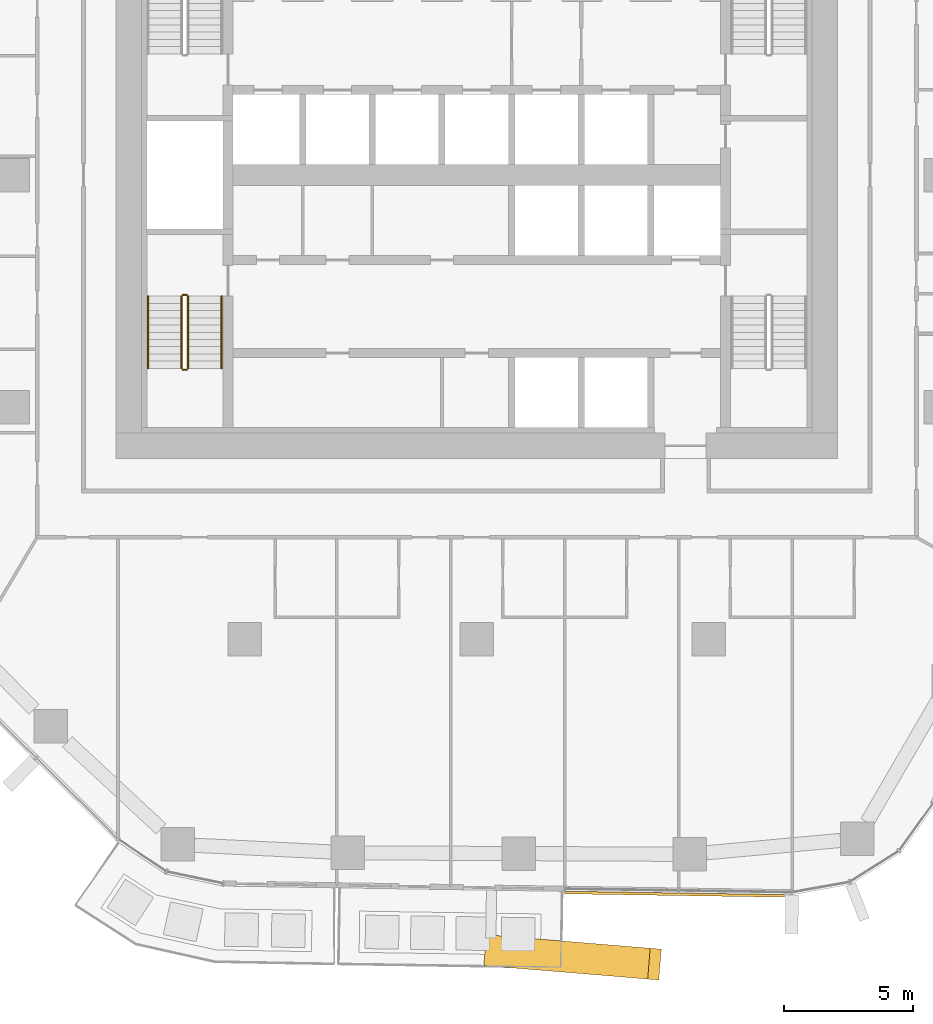
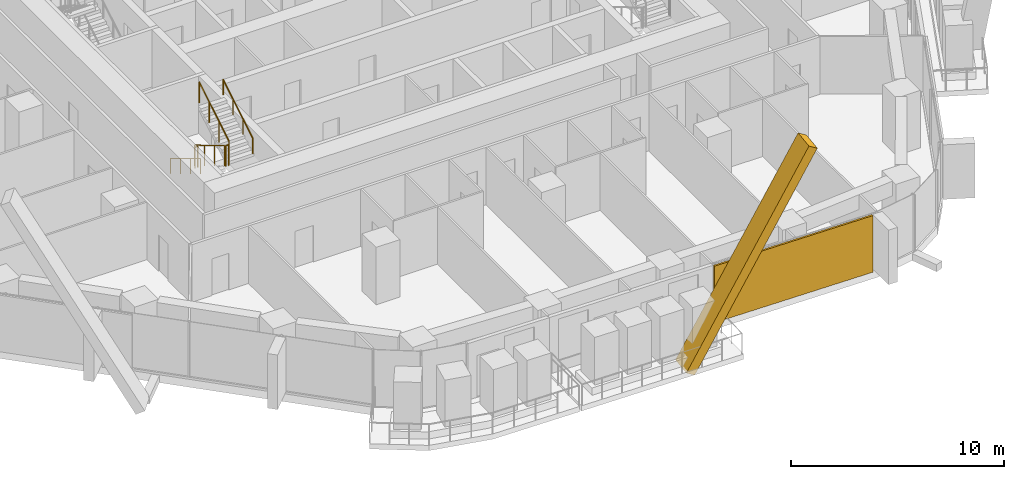
# One storey, part 20 of 25: 6 railings, 2 coverings, 1 element without a shape of its own.
"""IFC4 building model written with IfcOpenShell, lengths in metres."""

from ifc_helpers import new_model, si_unit, direction, frame, origin, origin_2d, place, context, subcontext, project, spatial, rectangle, circle, extrude, material, layer, layer_set, material_profile, profile_set, type_object, element, aggregate, save


model = new_model("IFC4")

# Units and contexts
model_context = context("Model", 3, precision=1e-05, world=origin(), true_north=direction((0.0, 1.0)))
body_context = subcontext(model_context, "Body", "Model", "MODEL_VIEW")
ifc_project = project(units=[si_unit("LENGTHUNIT", "METRE"), si_unit("AREAUNIT", "SQUARE_METRE"), si_unit("VOLUMEUNIT", "CUBIC_METRE"), si_unit("PLANEANGLEUNIT", "RADIAN"), si_unit("MASSUNIT", "GRAM", prefix="KILO")], contexts=[model_context])

# Site, building, storey
site_placement = place(None, origin())
site = spatial("IfcSite", under=ifc_project, at=site_placement, CompositionType="ELEMENT")
building_placement = place(site_placement, origin())
building = spatial("IfcBuilding", under=site, at=building_placement, Name="Dongbaek Canopy Tower", CompositionType="ELEMENT")
storey_placement = place(building_placement, frame((0.0, 0.0, 102.60009765625)))
storey = spatial("IfcBuildingStorey", under=building, at=storey_placement, Name="L21", CompositionType="ELEMENT", Elevation=102.60009765625)

# Curtain wall, coverings
ifc_material_1 = material(Name="Aluminium 6063-T6 pale anodised", Category="aluminium")
ifc_layer_1 = layer(ifc_material_1, 0.199951171875)
ifc_layer_set_1 = layer_set([ifc_layer_1], Name="CW-1 unitised tower curtain wall")
curtain_wall_type = type_object("IfcCurtainWallType", Name="CW-1 unitised tower curtain wall", PredefinedType="NOTDEFINED", material=ifc_layer_set_1)
curtain_wall_placement = place(storey_placement, origin())
curtain_wall = element("IfcCurtainWall", 1, at=curtain_wall_placement, inside=storey, type_object=curtain_wall_type, Name="CW-1 curtain wall F4.1", PredefinedType="NOTDEFINED")
ifc_material_2 = material(Name="Aluminium 6063-T6 pale metal fin", Category="aluminium")
ifc_material_profile = material_profile(ifc_material_2, rectangle(XDim=1.199951171875, YDim=0.5, at=origin_2d()), Name="Crease fin CF1 500 x 1200 pale metal")
ifc_profile_set = profile_set([ifc_material_profile], Name="Aluminium 6063-T6 pale metal fin")
covering_type_1 = type_object("IfcCoveringType", Name="Crease fin CF1 500 x 1200 pale metal", PredefinedType="CLADDING", material=ifc_profile_set)
covering_1_placement = place(storey_placement, frame((0.53759765625, -30.08251953125, -0.22509765625), z_axis=(0.495653018253, -0.040952202591, 0.86755461073), x_axis=(0.082342147223, 0.996604119393, 0.0)))
covering_1 = element("IfcCovering", 2, at=covering_1_placement, type_object=covering_type_1, Name="Crease fin L21 L24 F4", PredefinedType="CLADDING", context=body_context, shape_type="SweptSolid", body=[
    extrude(rectangle(XDim=1.199951171875, YDim=0.5, at=origin_2d()), origin(), (0.0, 0.0, 1.0), 12.823486328125),
])
ifc_material_3 = material(Name="Perforated aluminium 6063-T6 pale metal screen", Category="aluminium")
ifc_layer_2 = layer(ifc_material_3, 0.10009765625)
ifc_layer_set_2 = layer_set([ifc_layer_2], Name="Facet screen FS1 100 pale metal")
covering_type_2 = type_object("IfcCoveringType", Name="Facet screen FS1 100 pale metal", PredefinedType="CLADDING", material=ifc_layer_set_2)
covering_2_placement = place(storey_placement, frame((7.6748046875, -27.896728515625, 0.0), z_axis=(0.0, 0.0, 1.0), x_axis=(0.999881222026, -0.015412392378, 0.0)))
covering_2 = element("IfcCovering", 3, at=covering_2_placement, type_object=covering_type_2, Name="Facet screen L21 F4", PredefinedType="CLADDING", context=body_context, shape_type="SweptSolid", body=[
    extrude(rectangle(XDim=8.534912109375, YDim=0.10009765625, at=origin_2d()), origin(), (0.0, 0.0, 1.0), 3.25),
])
aggregate(curtain_wall, [covering_1, covering_2])

# Railings
ifc_material_4 = material(Name="Stainless steel tube and balusters", Category="steel")
railing_type_1 = type_object("IfcRailingType", Name="Stair guard 1200", PredefinedType="GUARDRAIL", material=ifc_material_4)
railing_1_placement = place(storey_placement, frame((-11.449951171875, -4.699951171875, 0.16796875)))
element("IfcRailing", 4, at=railing_1_placement, inside=storey, type_object=railing_type_1, Name="L21 ST-D stair guard 1", PredefinedType="GUARDRAIL", context=body_context, shape_type="SweptSolid", body=[
    extrude(circle(Radius=0.02392578125, at=origin_2d()), frame((0.0, 0.0, 1.17578125), z_axis=(0.0, -0.857242210791, 0.514913383045), x_axis=(1.0, 0.0, 0.0)), (0.0, 0.0, 1.0), 3.266357421875),
    extrude(circle(Radius=0.02099609375, at=origin_2d()), origin(), (0.0, 0.0, 1.0), 1.15185546875),
    extrude(circle(Radius=0.02099609375, at=origin_2d()), frame((0.0, -0.933349609375, 0.560546875)), (0.0, 0.0, 1.0), 1.15185546875),
    extrude(circle(Radius=0.02099609375, at=origin_2d()), frame((0.0, -1.86669921875, 1.121337890625)), (0.0, 0.0, 1.0), 1.15185546875),
    extrude(circle(Radius=0.02099609375, at=origin_2d()), frame((0.0, -2.800048828125, 1.681884765625)), (0.0, 0.0, 1.0), 1.15185546875),
])
railing_2_placement = place(storey_placement, frame((-11.39990234375, -7.550048828125, 1.849853515625)))
element("IfcRailing", 5, at=railing_2_placement, inside=storey, type_object=railing_type_1, Name="L21 ST-D stair guard 2", PredefinedType="GUARDRAIL", context=body_context, shape_type="SweptSolid", body=[
    extrude(circle(Radius=0.02392578125, at=origin_2d()), frame((0.0, 0.0, 1.17578125), z_axis=(1.0, 0.0, 0.0), x_axis=(0.0, 1.0, 0.0)), (0.0, 0.0, 1.0), 0.14990234375),
    extrude(circle(Radius=0.02099609375, at=origin_2d()), origin(), (0.0, 0.0, 1.0), 1.15185546875),
    extrude(circle(Radius=0.02099609375, at=origin_2d()), frame((0.14990234375, 0.0, 0.0)), (0.0, 0.0, 1.0), 1.15185546875),
])
railing_3_placement = place(storey_placement, frame((-11.199951171875, -7.5, 2.01806640625)))
element("IfcRailing", 6, at=railing_3_placement, inside=storey, type_object=railing_type_1, Name="L21 ST-D stair guard 3", PredefinedType="GUARDRAIL", context=body_context, shape_type="SweptSolid", body=[
    extrude(circle(Radius=0.02392578125, at=origin_2d()), frame((0.0, 0.0, 1.17578125), z_axis=(0.0, 0.857242210791, 0.514913383045), x_axis=(-1.0, 0.0, 0.0)), (0.0, 0.0, 1.0), 3.266357421875),
    extrude(circle(Radius=0.02099609375, at=origin_2d()), origin(), (0.0, 0.0, 1.0), 1.15185546875),
    extrude(circle(Radius=0.02099609375, at=origin_2d()), frame((0.0, 0.933349609375, 0.560546875)), (0.0, 0.0, 1.0), 1.15185546875),
    extrude(circle(Radius=0.02099609375, at=origin_2d()), frame((0.0, 1.86669921875, 1.121337890625)), (0.0, 0.0, 1.0), 1.15185546875),
    extrude(circle(Radius=0.02099609375, at=origin_2d()), frame((0.0, 2.800048828125, 1.681884765625)), (0.0, 0.0, 1.0), 1.15185546875),
])
railing_4_placement = place(storey_placement, frame((-11.39990234375, -4.64990234375, 0.0)))
element("IfcRailing", 7, at=railing_4_placement, inside=storey, type_object=railing_type_1, Name="L21 ST-D stair guard 4", PredefinedType="GUARDRAIL", context=body_context, shape_type="SweptSolid", body=[
    extrude(circle(Radius=0.02392578125, at=origin_2d()), frame((0.0, 0.0, 1.17578125), z_axis=(1.0, 0.0, 0.0), x_axis=(0.0, 1.0, 0.0)), (0.0, 0.0, 1.0), 0.14990234375),
    extrude(circle(Radius=0.02099609375, at=origin_2d()), origin(), (0.0, 0.0, 1.0), 1.15185546875),
    extrude(circle(Radius=0.02099609375, at=origin_2d()), frame((0.14990234375, 0.0, 0.0)), (0.0, 0.0, 1.0), 1.15185546875),
])
ifc_material_5 = material(Name="Stainless steel tube", Category="steel")
railing_type_2 = type_object("IfcRailingType", Name="Stair handrail 900", PredefinedType="HANDRAIL", material=ifc_material_5)
railing_5_placement = place(storey_placement, frame((-12.75, -4.699951171875, 0.16796875)))
element("IfcRailing", 8, at=railing_5_placement, inside=storey, type_object=railing_type_2, Name="L21 ST-D stair handrail 1", PredefinedType="HANDRAIL", context=body_context, shape_type="SweptSolid", body=[
    extrude(circle(Radius=0.02392578125, at=origin_2d()), frame((0.0, 0.0, 0.8759765625), z_axis=(0.0, -0.857242210791, 0.514913383045), x_axis=(1.0, 0.0, 0.0)), (0.0, 0.0, 1.0), 3.266357421875),
    extrude(circle(Radius=0.02099609375, at=origin_2d()), origin(), (0.0, 0.0, 1.0), 0.851806640625),
    extrude(circle(Radius=0.02099609375, at=origin_2d()), frame((0.0, -0.933349609375, 0.560546875)), (0.0, 0.0, 1.0), 0.851806640625),
    extrude(circle(Radius=0.02099609375, at=origin_2d()), frame((0.0, -1.86669921875, 1.121337890625)), (0.0, 0.0, 1.0), 0.851806640625),
    extrude(circle(Radius=0.02099609375, at=origin_2d()), frame((0.0, -2.800048828125, 1.681884765625)), (0.0, 0.0, 1.0), 0.851806640625),
])
railing_6_placement = place(storey_placement, frame((-9.89990234375, -7.5, 2.01806640625)))
element("IfcRailing", 9, at=railing_6_placement, inside=storey, type_object=railing_type_2, Name="L21 ST-D stair handrail 2", PredefinedType="HANDRAIL", context=body_context, shape_type="SweptSolid", body=[
    extrude(circle(Radius=0.02392578125, at=origin_2d()), frame((0.0, 0.0, 0.8759765625), z_axis=(0.0, 0.857242210791, 0.514913383045), x_axis=(-1.0, 0.0, 0.0)), (0.0, 0.0, 1.0), 3.266357421875),
    extrude(circle(Radius=0.02099609375, at=origin_2d()), origin(), (0.0, 0.0, 1.0), 0.851806640625),
    extrude(circle(Radius=0.02099609375, at=origin_2d()), frame((0.0, 0.933349609375, 0.560546875)), (0.0, 0.0, 1.0), 0.851806640625),
    extrude(circle(Radius=0.02099609375, at=origin_2d()), frame((0.0, 1.86669921875, 1.121337890625)), (0.0, 0.0, 1.0), 0.851806640625),
    extrude(circle(Radius=0.02099609375, at=origin_2d()), frame((0.0, 2.800048828125, 1.681884765625)), (0.0, 0.0, 1.0), 0.851806640625),
])

save(model, "model.ifc")
